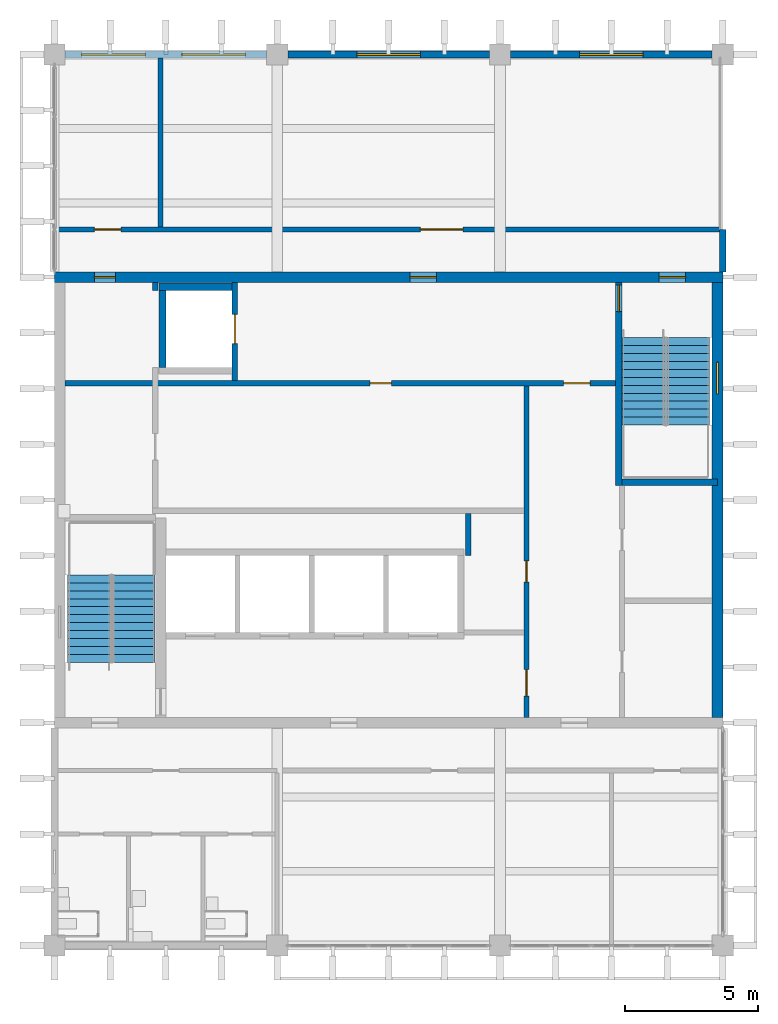
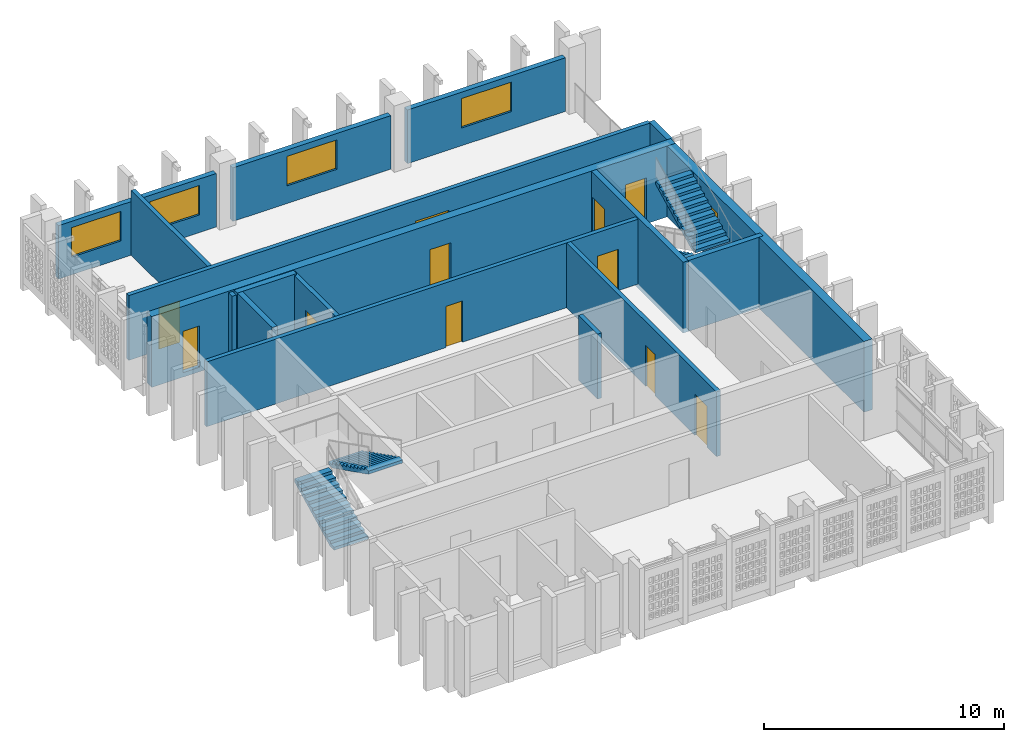
# One storey, part 6 of 13: 17 walls, 11 doors, 5 windows, 4 stair flights, 16 openings, 2 elements without a shape of their own.
"""IFC4 building model written with IfcOpenShell, lengths in metres."""

from ifc_helpers import new_model, si_unit, direction, frame, frame_2d, origin, place, context, subcontext, project, spatial, polyline, rectangle, outline, extrude, material, layer, layer_set, type_object, element, fill, aggregate, save


model = new_model("IFC4")

# Units and contexts
model_context = context("Model", 3, precision=1e-05, world=origin(), true_north=direction((0.0, 1.0)))
body_context = subcontext(model_context, "Body", "Model", "MODEL_VIEW")
ifc_project = project(units=[si_unit("LENGTHUNIT", "METRE"), si_unit("AREAUNIT", "SQUARE_METRE"), si_unit("VOLUMEUNIT", "CUBIC_METRE"), si_unit("PLANEANGLEUNIT", "RADIAN"), si_unit("MASSUNIT", "GRAM", prefix="KILO")], contexts=[model_context])

# Site, building, storey
site_placement = place(None, origin())
site = spatial("IfcSite", under=ifc_project, at=site_placement, CompositionType="ELEMENT")
building_placement = place(site_placement, origin())
building = spatial("IfcBuilding", under=site, at=building_placement, Name="Rulbaag Community and Learning Centre", CompositionType="ELEMENT")
storey_placement = place(building_placement, frame((0.0, 0.0, 39.60009765625)))
storey = spatial("IfcBuildingStorey", under=building, at=storey_placement, Name="L10", CompositionType="ELEMENT", Elevation=39.60009765625)

# Wall, openings, windows
ifc_material_1 = material(Name="Concrete M40", Category="concrete")
ifc_layer_1 = layer(ifc_material_1, 0.25)
ifc_layer_set_1 = layer_set([ifc_layer_1], Name="EW-CONC250")
wall_type_1 = type_object("IfcWallType", Name="EW-CONC250", PredefinedType="STANDARD", material=ifc_layer_set_1)
wall_1_placement = place(storey_placement, frame((143.199951171875, 117.60009765625, 0.0), z_axis=(0.0, 0.0, 1.0), x_axis=(1.0, 0.0, 0.0)))
wall_1 = element("IfcWall", 1, at=wall_1_placement, inside=storey, type_object=wall_type_1, Name="Board-marked concrete cladding wall BN", PredefinedType="STANDARD", context=body_context, shape_type="SweptSolid", body=[
    extrude(rectangle(XDim=7.60009765625, YDim=0.25, at=frame_2d((3.800048828125, 0.0))), origin(), (0.0, 0.0, 1.0), 2.724853515625),
])
opening_1_placement = place(wall_1_placement, frame((0.625, 0.0, 0.89990234375)))
opening_1 = element("IfcOpeningElement", 2, at=opening_1_placement, cuts=wall_1, Name="Opening WN17", PredefinedType="OPENING", context=body_context, shape_type="SweptSolid", body=[
    extrude(rectangle(XDim=2.39990234375, YDim=1.5, at=frame_2d((1.199951171875, 0.75))), frame((0.0, 0.135009765625, 0.0), z_axis=(0.0, -1.0, 0.0), x_axis=(1.0, 0.0, 0.0)), (0.0, 0.0, 1.0), 0.27001953125),
])
opening_2_placement = place(wall_1_placement, frame((4.39990234375, 0.0, 0.89990234375)))
opening_2 = element("IfcOpeningElement", 3, at=opening_2_placement, cuts=wall_1, Name="Opening WN15", PredefinedType="OPENING", context=body_context, shape_type="SweptSolid", body=[
    extrude(rectangle(XDim=2.39990234375, YDim=1.5, at=frame_2d((1.199951171875, 0.75))), frame((0.0, 0.135009765625, 0.0), z_axis=(0.0, -1.0, 0.0), x_axis=(1.0, 0.0, 0.0)), (0.0, 0.0, 1.0), 0.27001953125),
])
ifc_material_2 = material(Name="Aluminium", Category="aluminium")
window_type_1 = type_object("IfcWindowType", Name="WN-24", PartitioningType="DOUBLE_PANEL_VERTICAL", PredefinedType="WINDOW", material=ifc_material_2)
window_1_placement = place(opening_1_placement, origin())
window_1 = element("IfcWindow", 4, at=window_1_placement, inside=storey, type_object=window_type_1, Name="Window WN17", OverallHeight=1.5, OverallWidth=2.39990234375, PartitioningType="SINGLE_PANEL", PredefinedType="WINDOW", context=body_context, shape_type="SweptSolid", body=[
    extrude(rectangle(XDim=2.39990234375, YDim=1.5, at=frame_2d((1.199951171875, 0.75))), frame((0.0, 0.030029296875, 0.0), z_axis=(0.0, -1.0, 0.0), x_axis=(1.0, 0.0, 0.0)), (0.0, 0.0, 1.0), 0.06005859375),
])
fill(opening_1, window_1)
window_type_2 = type_object("IfcWindowType", Name="WR-24", PartitioningType="DOUBLE_PANEL_VERTICAL", PredefinedType="WINDOW", material=ifc_material_2)
window_2_placement = place(opening_2_placement, origin())
window_2 = element("IfcWindow", 5, at=window_2_placement, inside=storey, type_object=window_type_2, Name="Window WN15", OverallHeight=1.5, OverallWidth=2.39990234375, PartitioningType="SINGLE_PANEL", PredefinedType="WINDOW", context=body_context, shape_type="SweptSolid", body=[
    extrude(rectangle(XDim=2.39990234375, YDim=1.5, at=frame_2d((1.199951171875, 0.75))), frame((0.0, 0.030029296875, 0.0), z_axis=(0.0, -1.0, 0.0), x_axis=(1.0, 0.0, 0.0)), (0.0, 0.0, 1.0), 0.06005859375),
])
fill(opening_2, window_2)

# Wall, opening, window
wall_2_placement = place(storey_placement, frame((151.60009765625, 117.60009765625, 0.0), z_axis=(0.0, 0.0, 1.0), x_axis=(1.0, 0.0, 0.0)))
wall_2 = element("IfcWall", 6, at=wall_2_placement, inside=storey, type_object=wall_type_1, Name="Board-marked concrete cladding wall BN", PredefinedType="STANDARD", context=body_context, shape_type="SweptSolid", body=[
    extrude(rectangle(XDim=7.599853515625, YDim=0.25, at=frame_2d((3.7998046875, 0.0))), origin(), (0.0, 0.0, 1.0), 2.724853515625),
])
opening_3_placement = place(wall_2_placement, frame((2.60009765625, 0.0, 0.89990234375)))
opening_3 = element("IfcOpeningElement", 7, at=opening_3_placement, cuts=wall_2, Name="Opening WN15", PredefinedType="OPENING", context=body_context, shape_type="SweptSolid", body=[
    extrude(rectangle(XDim=2.39990234375, YDim=1.5, at=frame_2d((1.199951171875, 0.75))), frame((0.0, 0.135009765625, 0.0), z_axis=(0.0, -1.0, 0.0), x_axis=(1.0, 0.0, 0.0)), (0.0, 0.0, 1.0), 0.27001953125),
])
window_3_placement = place(opening_3_placement, origin())
window_3 = element("IfcWindow", 8, at=window_3_placement, inside=storey, type_object=window_type_2, Name="Window WN15", OverallHeight=1.5, OverallWidth=2.39990234375, PartitioningType="SINGLE_PANEL", PredefinedType="WINDOW", context=body_context, shape_type="SweptSolid", body=[
    extrude(rectangle(XDim=2.39990234375, YDim=1.5, at=frame_2d((1.199951171875, 0.75))), frame((0.0, 0.030029296875, 0.0), z_axis=(0.0, -1.0, 0.0), x_axis=(1.0, 0.0, 0.0)), (0.0, 0.0, 1.0), 0.06005859375),
])
fill(opening_3, window_3)

wall_3_placement = place(storey_placement, frame((160.0, 117.60009765625, 0.0), z_axis=(0.0, 0.0, 1.0), x_axis=(1.0, 0.0, 0.0)))
wall_3 = element("IfcWall", 9, at=wall_3_placement, inside=storey, type_object=wall_type_1, Name="Board-marked concrete cladding wall BN", PredefinedType="STANDARD", context=body_context, shape_type="SweptSolid", body=[
    extrude(rectangle(XDim=7.60009765625, YDim=0.25, at=frame_2d((3.800048828125, 0.0))), origin(), (0.0, 0.0, 1.0), 2.724853515625),
])
opening_4_placement = place(wall_3_placement, frame((2.60009765625, 0.0, 0.89990234375)))
opening_4 = element("IfcOpeningElement", 10, at=opening_4_placement, cuts=wall_3, Name="Opening WN15", PredefinedType="OPENING", context=body_context, shape_type="SweptSolid", body=[
    extrude(rectangle(XDim=2.39990234375, YDim=1.5, at=frame_2d((1.199951171875, 0.75))), frame((0.0, 0.135009765625, 0.0), z_axis=(0.0, -1.0, 0.0), x_axis=(1.0, 0.0, 0.0)), (0.0, 0.0, 1.0), 0.27001953125),
])
window_4_placement = place(opening_4_placement, origin())
window_4 = element("IfcWindow", 11, at=window_4_placement, inside=storey, type_object=window_type_2, Name="Window WN15", OverallHeight=1.5, OverallWidth=2.39990234375, PartitioningType="SINGLE_PANEL", PredefinedType="WINDOW", context=body_context, shape_type="SweptSolid", body=[
    extrude(rectangle(XDim=2.39990234375, YDim=1.5, at=frame_2d((1.199951171875, 0.75))), frame((0.0, 0.030029296875, 0.0), z_axis=(0.0, -1.0, 0.0), x_axis=(1.0, 0.0, 0.0)), (0.0, 0.0, 1.0), 0.06005859375),
])
fill(opening_4, window_4)

# Wall
wall_4_placement = place(storey_placement, frame((168.0, 109.39990234375, 0.0), z_axis=(0.0, 0.0, 1.0), x_axis=(0.0, 1.0, 0.0)))
element("IfcWall", 12, at=wall_4_placement, inside=storey, type_object=wall_type_1, Name="Board-marked concrete cladding wall BE", PredefinedType="STANDARD", context=body_context, shape_type="SweptSolid", body=[
    extrude(rectangle(XDim=1.60009765625, YDim=0.25, at=frame_2d((0.800048828125, 0.0))), origin(), (0.0, 0.0, 1.0), 3.2998046875),
])

# Wall, openings, doors
ifc_material_3 = material(Name="Concrete blockwork", Category="masonry")
ifc_layer_2 = layer(ifc_material_3, 0.199951171875)
ifc_layer_set_2 = layer_set([ifc_layer_2], Name="FW-200 FIRE WALL 200")
wall_type_2 = type_object("IfcWallType", Name="FW-200 FIRE WALL 200", PredefinedType="SOLIDWALL", material=ifc_layer_set_2)
wall_5_placement = place(storey_placement, frame((143.199951171875, 105.199951171875, 0.0), z_axis=(0.0, 0.0, 1.0), x_axis=(1.0, 0.0, 0.0)))
wall_5 = element("IfcWall", 13, at=wall_5_placement, inside=storey, type_object=wall_type_2, Name="Fire wall L10 9", PredefinedType="SOLIDWALL", context=body_context, shape_type="SweptSolid", body=[
    extrude(rectangle(XDim=20.75, YDim=0.199951171875, at=frame_2d((10.375, 0.0))), origin(), (0.0, 0.0, 1.0), 3.2998046875),
])
opening_5_placement = place(wall_5_placement, frame((11.5, 0.0, 0.0)))
opening_5 = element("IfcOpeningElement", 14, at=opening_5_placement, cuts=wall_5, Name="Opening L10-D017", PredefinedType="OPENING", context=body_context, shape_type="SweptSolid", body=[
    extrude(rectangle(XDim=0.800048828125, YDim=2.10009765625, at=frame_2d((0.39990234375, 1.050048828125))), frame((0.0, 0.10986328125, 0.0), z_axis=(0.0, -1.0, 0.0), x_axis=(1.0, 0.0, 0.0)), (0.0, 0.0, 1.0), 0.219970703125),
])
opening_6_placement = place(wall_5_placement, frame((18.800048828125, 0.0, 0.0)))
opening_6 = element("IfcOpeningElement", 15, at=opening_6_placement, cuts=wall_5, Name="Opening L10-D025", PredefinedType="OPENING", context=body_context, shape_type="SweptSolid", body=[
    extrude(rectangle(XDim=1.0, YDim=2.10009765625, at=frame_2d((0.5, 1.050048828125))), frame((0.0, 0.10986328125, 0.0), z_axis=(0.0, -1.0, 0.0), x_axis=(1.0, 0.0, 0.0)), (0.0, 0.0, 1.0), 0.219970703125),
])
ifc_material_4 = material(Name="Galvanised steel", Category="steel")
door_type_1 = type_object("IfcDoorType", Name="FD-1000 FIRE DOOR 1000 x 2100", OperationType="SINGLE_SWING_LEFT", PredefinedType="DOOR", material=ifc_material_4)
door_1_placement = place(opening_6_placement, origin())
door_1 = element("IfcDoor", 16, at=door_1_placement, inside=storey, type_object=door_type_1, Name="Door L10-D025", OperationType="SINGLE_SWING_LEFT", OverallHeight=2.10009765625, OverallWidth=1.0, PredefinedType="DOOR", context=body_context, shape_type="SweptSolid", body=[
    extrude(rectangle(XDim=1.0, YDim=2.10009765625, at=frame_2d((0.5, 1.050048828125))), frame((0.0, 0.02490234375, 0.0), z_axis=(0.0, -1.0, 0.0), x_axis=(1.0, 0.0, 0.0)), (0.0, 0.0, 1.0), 0.050048828125),
])
fill(opening_6, door_1)
door_type_2 = type_object("IfcDoorType", Name="FDR-800 RISER FIRE DOOR 800 x 2100", OperationType="SINGLE_SWING_LEFT", PredefinedType="DOOR", material=ifc_material_4)
door_2_placement = place(opening_5_placement, origin())
door_2 = element("IfcDoor", 17, at=door_2_placement, inside=storey, type_object=door_type_2, Name="Riser door L10-D020", OperationType="SINGLE_SWING_RIGHT", OverallHeight=2.10009765625, OverallWidth=0.800048828125, PredefinedType="DOOR", context=body_context, shape_type="SweptSolid", body=[
    extrude(rectangle(XDim=0.800048828125, YDim=2.10009765625, at=frame_2d((0.39990234375, 1.050048828125))), frame((0.0, 0.02490234375, 0.0), z_axis=(0.0, -1.0, 0.0), x_axis=(1.0, 0.0, 0.0)), (0.0, 0.0, 1.0), 0.050048828125),
])
fill(opening_5, door_2)

wall_6_placement = place(storey_placement, frame((142.800048828125, 111.0, 0.0), z_axis=(0.0, 0.0, 1.0), x_axis=(1.0, 0.0, 0.0)))
wall_6 = element("IfcWall", 18, at=wall_6_placement, inside=storey, type_object=wall_type_2, Name="Fire wall L10 10", PredefinedType="SOLIDWALL", context=body_context, shape_type="SweptSolid", body=[
    extrude(rectangle(XDim=25.074951171875, YDim=0.199951171875, at=frame_2d((12.53759765625, 0.0))), origin(), (0.0, 0.0, 1.0), 3.2998046875),
])
opening_7_placement = place(wall_6_placement, frame((1.5, 0.0, 0.0)))
opening_7 = element("IfcOpeningElement", 19, at=opening_7_placement, cuts=wall_6, Name="Opening L10-D005", PredefinedType="OPENING", context=body_context, shape_type="SweptSolid", body=[
    extrude(rectangle(XDim=1.0, YDim=2.10009765625, at=frame_2d((0.5, 1.050048828125))), frame((0.0, 0.10986328125, 0.0), z_axis=(0.0, -1.0, 0.0), x_axis=(1.0, 0.0, 0.0)), (0.0, 0.0, 1.0), 0.219970703125),
])
opening_8_placement = place(wall_6_placement, frame((13.800048828125, 0.0, 0.0)))
opening_8 = element("IfcOpeningElement", 20, at=opening_8_placement, cuts=wall_6, Name="Opening L10-D020", PredefinedType="OPENING", context=body_context, shape_type="SweptSolid", body=[
    extrude(rectangle(XDim=1.60009765625, YDim=2.25, at=frame_2d((0.800048828125, 1.125))), frame((0.0, 0.10986328125, 0.0), z_axis=(0.0, -1.0, 0.0), x_axis=(1.0, 0.0, 0.0)), (0.0, 0.0, 1.0), 0.219970703125),
])
door_3_placement = place(opening_7_placement, origin())
door_3 = element("IfcDoor", 21, at=door_3_placement, inside=storey, type_object=door_type_1, Name="Door L10-D005", OperationType="SINGLE_SWING_RIGHT", OverallHeight=2.10009765625, OverallWidth=1.0, PredefinedType="DOOR", context=body_context, shape_type="SweptSolid", body=[
    extrude(rectangle(XDim=1.0, YDim=2.10009765625, at=frame_2d((0.5, 1.050048828125))), frame((0.0, 0.02490234375, 0.0), z_axis=(0.0, -1.0, 0.0), x_axis=(1.0, 0.0, 0.0)), (0.0, 0.0, 1.0), 0.050048828125),
])
fill(opening_7, door_3)
ifc_material_5 = material(Name="Timber", Category="wood")
door_type_3 = type_object("IfcDoorType", Name="FD-1600 REFUGE AREA DOUBLE FIRE DOOR 1600 x 2250", OperationType="DOUBLE_DOOR_SINGLE_SWING", PredefinedType="DOOR", material=ifc_material_5)
door_4_placement = place(opening_8_placement, origin())
door_4 = element("IfcDoor", 22, at=door_4_placement, inside=storey, type_object=door_type_3, Name="Door L10-D020", OperationType="DOUBLE_DOOR_SINGLE_SWING", OverallHeight=2.25, OverallWidth=1.60009765625, PredefinedType="DOOR", context=body_context, shape_type="SweptSolid", body=[
    extrude(rectangle(XDim=1.60009765625, YDim=2.25, at=frame_2d((0.800048828125, 1.125))), frame((0.0, 0.02490234375, 0.0), z_axis=(0.0, -1.0, 0.0), x_axis=(1.0, 0.0, 0.0)), (0.0, 0.0, 1.0), 0.050048828125),
])
fill(opening_8, door_4)

# Walls
wall_7_placement = place(storey_placement, frame((146.60009765625, 108.699951171875, 0.0), z_axis=(0.0, 0.0, 1.0), x_axis=(0.0, 1.0, 0.0)))
element("IfcWall", 23, at=wall_7_placement, inside=storey, type_object=wall_type_2, Name="Fire wall L10 13", PredefinedType="SOLIDWALL", context=body_context, shape_type="SweptSolid", body=[
    extrude(rectangle(XDim=0.300048828125, YDim=0.199951171875, at=frame_2d((0.14990234375, 0.0))), origin(), (0.0, 0.0, 1.0), 3.2998046875),
])
wall_8_placement = place(storey_placement, frame((146.800048828125, 111.10009765625, 0.0), z_axis=(0.0, 0.0, 1.0), x_axis=(0.0, 1.0, 0.0)))
element("IfcWall", 24, at=wall_8_placement, inside=storey, type_object=wall_type_2, Name="Fire wall L10 14", PredefinedType="SOLIDWALL", context=body_context, shape_type="SweptSolid", body=[
    extrude(rectangle(XDim=6.375, YDim=0.199951171875, at=frame_2d((3.1875, 0.0))), origin(), (0.0, 0.0, 1.0), 3.2998046875),
])

# Wall, opening, door
wall_9_placement = place(storey_placement, frame((149.60009765625, 105.300048828125, 0.0), z_axis=(0.0, 0.0, 1.0), x_axis=(0.0, 1.0, 0.0)))
wall_9 = element("IfcWall", 25, at=wall_9_placement, inside=storey, type_object=wall_type_2, Name="Fire wall L10 16", PredefinedType="SOLIDWALL", context=body_context, shape_type="SweptSolid", body=[
    extrude(rectangle(XDim=3.699951171875, YDim=0.199951171875, at=frame_2d((1.85009765625, 0.0))), origin(), (0.0, 0.0, 1.0), 3.2998046875),
])
opening_9_placement = place(wall_9_placement, frame((1.39990234375, 0.0, 0.0)))
opening_9 = element("IfcOpeningElement", 26, at=opening_9_placement, cuts=wall_9, Name="Opening L10-D011", PredefinedType="OPENING", context=body_context, shape_type="SweptSolid", body=[
    extrude(rectangle(XDim=1.10009765625, YDim=2.10009765625, at=frame_2d((0.550048828125, 1.050048828125))), frame((0.0, 0.10986328125, 0.0), z_axis=(0.0, -1.0, 0.0), x_axis=(1.0, 0.0, 0.0)), (0.0, 0.0, 1.0), 0.219970703125),
])
ifc_material_6 = material(Name="Stainless steel grade 304", Category="steel")
door_type_4 = type_object("IfcDoorType", Name="LD-1100 LIFT LANDING DOOR 1100 x 2100", OperationType="SLIDING_TO_LEFT", PredefinedType="DOOR", material=ifc_material_6)
door_5_placement = place(opening_9_placement, origin())
door_5 = element("IfcDoor", 27, at=door_5_placement, inside=storey, type_object=door_type_4, Name="Lift landing door LF1 L10", OperationType="SLIDING_TO_LEFT", OverallHeight=2.10009765625, OverallWidth=1.10009765625, PredefinedType="DOOR", context=body_context, shape_type="SweptSolid", body=[
    extrude(rectangle(XDim=1.10009765625, YDim=2.10009765625, at=frame_2d((0.550048828125, 1.050048828125))), frame((0.0, 0.02490234375, 0.0), z_axis=(0.0, -1.0, 0.0), x_axis=(1.0, 0.0, 0.0)), (0.0, 0.0, 1.0), 0.050048828125),
])
fill(opening_9, door_5)

# Wall
wall_10_placement = place(storey_placement, frame((158.39990234375, 98.699951171875, 0.0), z_axis=(0.0, 0.0, 1.0), x_axis=(0.0, 1.0, 0.0)))
element("IfcWall", 28, at=wall_10_placement, inside=storey, type_object=wall_type_2, Name="Fire wall L10 18", PredefinedType="SOLIDWALL", context=body_context, shape_type="SweptSolid", body=[
    extrude(rectangle(XDim=1.60009765625, YDim=0.199951171875, at=frame_2d((0.800048828125, 0.0))), origin(), (0.0, 0.0, 1.0), 3.2998046875),
])

# Wall, openings, doors
wall_11_placement = place(storey_placement, frame((160.60009765625, 92.60009765625, 0.0), z_axis=(0.0, 0.0, 1.0), x_axis=(0.0, 1.0, 0.0)))
wall_11 = element("IfcWall", 29, at=wall_11_placement, inside=storey, type_object=wall_type_2, Name="Fire wall L10 19", PredefinedType="SOLIDWALL", context=body_context, shape_type="SweptSolid", body=[
    extrude(rectangle(XDim=12.5, YDim=0.199951171875, at=frame_2d((6.25, 0.0))), origin(), (0.0, 0.0, 1.0), 3.2998046875),
])
opening_10_placement = place(wall_11_placement, frame((5.10009765625, 0.0, 0.0)))
opening_10 = element("IfcOpeningElement", 30, at=opening_10_placement, cuts=wall_11, Name="Opening L10-D023", PredefinedType="OPENING", context=body_context, shape_type="SweptSolid", body=[
    extrude(rectangle(XDim=0.800048828125, YDim=2.10009765625, at=frame_2d((0.39990234375, 1.050048828125))), frame((0.0, 0.10986328125, 0.0), z_axis=(0.0, -1.0, 0.0), x_axis=(1.0, 0.0, 0.0)), (0.0, 0.0, 1.0), 0.219970703125),
])
opening_11_placement = place(wall_11_placement, frame((0.800048828125, 0.0, 0.0)))
opening_11 = element("IfcOpeningElement", 31, at=opening_11_placement, cuts=wall_11, Name="Opening L10-D022", PredefinedType="OPENING", context=body_context, shape_type="SweptSolid", body=[
    extrude(rectangle(XDim=1.0, YDim=2.10009765625, at=frame_2d((0.5, 1.050048828125))), frame((0.0, 0.10986328125, 0.0), z_axis=(0.0, -1.0, 0.0), x_axis=(1.0, 0.0, 0.0)), (0.0, 0.0, 1.0), 0.219970703125),
])
door_6_placement = place(opening_11_placement, origin())
door_6 = element("IfcDoor", 32, at=door_6_placement, inside=storey, type_object=door_type_1, Name="Door L10-D022", OperationType="SINGLE_SWING_LEFT", OverallHeight=2.10009765625, OverallWidth=1.0, PredefinedType="DOOR", context=body_context, shape_type="SweptSolid", body=[
    extrude(rectangle(XDim=1.0, YDim=2.10009765625, at=frame_2d((0.5, 1.050048828125))), frame((0.0, 0.02490234375, 0.0), z_axis=(0.0, -1.0, 0.0), x_axis=(1.0, 0.0, 0.0)), (0.0, 0.0, 1.0), 0.050048828125),
])
fill(opening_11, door_6)
door_7_placement = place(opening_10_placement, origin())
door_7 = element("IfcDoor", 33, at=door_7_placement, inside=storey, type_object=door_type_2, Name="Riser door L10-D019", OperationType="SINGLE_SWING_RIGHT", OverallHeight=2.10009765625, OverallWidth=0.800048828125, PredefinedType="DOOR", context=body_context, shape_type="SweptSolid", body=[
    extrude(rectangle(XDim=0.800048828125, YDim=2.10009765625, at=frame_2d((0.39990234375, 1.050048828125))), frame((0.0, 0.02490234375, 0.0), z_axis=(0.0, -1.0, 0.0), x_axis=(1.0, 0.0, 0.0)), (0.0, 0.0, 1.0), 0.050048828125),
])
fill(opening_10, door_7)

# Wall
ifc_layer_3 = layer(ifc_material_1, 0.27490234375)
ifc_layer_set_3 = layer_set([ifc_layer_3], Name="W16 Shaft wall 275 Concrete M40")
wall_type_3 = type_object("IfcWallType", Name="W16 Shaft wall 275 Concrete M40", PredefinedType="SHEAR", material=ifc_layer_set_3)
wall_12_placement = place(storey_placement, frame((146.75, 108.83740234375, -0.22509765625), z_axis=(0.0, 0.0, 1.0), x_axis=(1.0, 0.0, 0.0)))
element("IfcWall", 34, at=wall_12_placement, inside=storey, type_object=wall_type_3, Name="WL-LF-N-L10", PredefinedType="SHEAR", context=body_context, shape_type="SweptSolid", body=[
    extrude(rectangle(XDim=2.85009765625, YDim=0.27490234375, at=frame_2d((1.425048828125, 0.0))), origin(), (0.0, 0.0, 1.0), 3.60009765625),
])

# Wall, openings, doors
ifc_material_7 = material(Name="Concrete M60", Category="concrete")
ifc_layer_4 = layer(ifc_material_7, 0.39990234375)
ifc_layer_set_4 = layer_set([ifc_layer_4], Name="W2 Core wall 400 Concrete M60")
wall_type_4 = type_object("IfcWallType", Name="W2 Core wall 400 Concrete M60", PredefinedType="SHEAR", material=ifc_layer_set_4)
wall_13_placement = place(storey_placement, frame((142.800048828125, 109.199951171875, -0.22509765625), z_axis=(0.0, 0.0, 1.0), x_axis=(1.0, 0.0, 0.0)))
wall_13 = element("IfcWall", 35, at=wall_13_placement, inside=storey, type_object=wall_type_4, Name="WL-CORE-N-L10", PredefinedType="SHEAR", context=body_context, shape_type="SweptSolid", body=[
    extrude(rectangle(XDim=25.199951171875, YDim=0.39990234375, at=frame_2d((12.60009765625, 0.0))), origin(), (0.0, 0.0, 1.0), 3.60009765625),
])
opening_12_placement = place(wall_13_placement, frame((22.800048828125, 0.0, 0.22509765625)))
opening_12 = element("IfcOpeningElement", 36, at=opening_12_placement, cuts=wall_13, Name="Opening L10-D030", PredefinedType="OPENING", context=body_context, shape_type="SweptSolid", body=[
    extrude(rectangle(XDim=1.0, YDim=2.10009765625, at=frame_2d((0.5, 1.050048828125))), frame((0.0, 0.2099609375, 0.0), z_axis=(0.0, -1.0, 0.0), x_axis=(1.0, 0.0, 0.0)), (0.0, 0.0, 1.0), 0.419921875),
])
opening_13_placement = place(wall_13_placement, frame((1.5, 0.0, 0.22509765625)))
opening_13 = element("IfcOpeningElement", 37, at=opening_13_placement, cuts=wall_13, Name="Opening L10-D004", PredefinedType="OPENING", context=body_context, shape_type="SweptSolid", body=[
    extrude(rectangle(XDim=0.800048828125, YDim=2.10009765625, at=frame_2d((0.39990234375, 1.050048828125))), frame((0.0, 0.2099609375, 0.0), z_axis=(0.0, -1.0, 0.0), x_axis=(1.0, 0.0, 0.0)), (0.0, 0.0, 1.0), 0.419921875),
])
opening_14_placement = place(wall_13_placement, frame((13.39990234375, 0.0, 0.22509765625)))
opening_14 = element("IfcOpeningElement", 38, at=opening_14_placement, cuts=wall_13, Name="Opening L10-D019", PredefinedType="OPENING", context=body_context, shape_type="SweptSolid", body=[
    extrude(rectangle(XDim=1.0, YDim=2.10009765625, at=frame_2d((0.5, 1.050048828125))), frame((0.0, 0.2099609375, 0.0), z_axis=(0.0, -1.0, 0.0), x_axis=(1.0, 0.0, 0.0)), (0.0, 0.0, 1.0), 0.419921875),
])
door_8_placement = place(opening_12_placement, origin())
door_8 = element("IfcDoor", 39, at=door_8_placement, inside=storey, type_object=door_type_1, Name="Door L10-D030", OperationType="SINGLE_SWING_LEFT", OverallHeight=2.10009765625, OverallWidth=1.0, PredefinedType="DOOR", context=body_context, shape_type="SweptSolid", body=[
    extrude(rectangle(XDim=1.0, YDim=2.10009765625, at=frame_2d((0.5, 1.050048828125))), frame((0.0, 0.02490234375, 0.0), z_axis=(0.0, -1.0, 0.0), x_axis=(1.0, 0.0, 0.0)), (0.0, 0.0, 1.0), 0.050048828125),
])
fill(opening_12, door_8)
door_9_placement = place(opening_14_placement, origin())
door_9 = element("IfcDoor", 40, at=door_9_placement, inside=storey, type_object=door_type_1, Name="Door L10-D019", OperationType="SINGLE_SWING_LEFT", OverallHeight=2.10009765625, OverallWidth=1.0, PredefinedType="DOOR", context=body_context, shape_type="SweptSolid", body=[
    extrude(rectangle(XDim=1.0, YDim=2.10009765625, at=frame_2d((0.5, 1.050048828125))), frame((0.0, 0.02490234375, 0.0), z_axis=(0.0, -1.0, 0.0), x_axis=(1.0, 0.0, 0.0)), (0.0, 0.0, 1.0), 0.050048828125),
])
fill(opening_14, door_9)
door_10_placement = place(opening_13_placement, origin())
door_10 = element("IfcDoor", 41, at=door_10_placement, inside=storey, type_object=door_type_2, Name="Riser door L10-D022", OperationType="SINGLE_SWING_LEFT", OverallHeight=2.10009765625, OverallWidth=0.800048828125, PredefinedType="DOOR", context=body_context, shape_type="SweptSolid", body=[
    extrude(rectangle(XDim=0.800048828125, YDim=2.10009765625, at=frame_2d((0.39990234375, 1.050048828125))), frame((0.0, 0.02490234375, 0.0), z_axis=(0.0, -1.0, 0.0), x_axis=(1.0, 0.0, 0.0)), (0.0, 0.0, 1.0), 0.050048828125),
])
fill(opening_13, door_10)

# Wall, opening, window
wall_14_placement = place(storey_placement, frame((167.800048828125, 92.60009765625, -0.22509765625), z_axis=(0.0, 0.0, 1.0), x_axis=(0.0, 1.0, 0.0)))
wall_14 = element("IfcWall", 42, at=wall_14_placement, inside=storey, type_object=wall_type_4, Name="WL-CORE-E-L10", PredefinedType="SHEAR", context=body_context, shape_type="SweptSolid", body=[
    extrude(rectangle(XDim=16.39990234375, YDim=0.39990234375, at=frame_2d((8.199951171875, 0.0))), origin(), (0.0, 0.0, 1.0), 3.60009765625),
])
opening_15_placement = place(wall_14_placement, frame((12.199951171875, 0.0, 1.824951171875)))
opening_15 = element("IfcOpeningElement", 43, at=opening_15_placement, cuts=wall_14, Name="Opening WN19", PredefinedType="OPENING", context=body_context, shape_type="SweptSolid", body=[
    extrude(rectangle(XDim=1.199951171875, YDim=0.89990234375, at=frame_2d((0.60009765625, 0.449951171875))), frame((0.0, 0.2099609375, 0.0), z_axis=(0.0, -1.0, 0.0), x_axis=(1.0, 0.0, 0.0)), (0.0, 0.0, 1.0), 0.419921875),
])
window_type_3 = type_object("IfcWindowType", Name="WS-12", PartitioningType="SINGLE_PANEL", PredefinedType="WINDOW", material=ifc_material_2)
window_5_placement = place(opening_15_placement, origin())
window_5 = element("IfcWindow", 44, at=window_5_placement, inside=storey, type_object=window_type_3, Name="Stair window", OverallHeight=0.89990234375, OverallWidth=1.199951171875, PartitioningType="SINGLE_PANEL", PredefinedType="WINDOW", context=body_context, shape_type="SweptSolid", body=[
    extrude(rectangle(XDim=1.199951171875, YDim=0.89990234375, at=frame_2d((0.60009765625, 0.449951171875))), frame((0.0, 0.030029296875, 0.0), z_axis=(0.0, -1.0, 0.0), x_axis=(1.0, 0.0, 0.0)), (0.0, 0.0, 1.0), 0.06005859375),
])
fill(opening_15, window_5)

# Wall, opening, door
ifc_layer_5 = layer(ifc_material_1, 0.25)
ifc_layer_set_5 = layer_set([ifc_layer_5], Name="W5 Shaft wall 250 Concrete M40")
wall_type_5 = type_object("IfcWallType", Name="W5 Shaft wall 250 Concrete M40", PredefinedType="SHEAR", material=ifc_layer_set_5)
wall_15_placement = place(storey_placement, frame((164.074951171875, 101.35009765625, -0.22509765625), z_axis=(0.0, 0.0, 1.0), x_axis=(0.0, 1.0, 0.0)))
wall_15 = element("IfcWall", 45, at=wall_15_placement, inside=storey, type_object=wall_type_5, Name="WL-ST2-W-L10", PredefinedType="SHEAR", context=body_context, shape_type="SweptSolid", body=[
    extrude(rectangle(XDim=7.64990234375, YDim=0.25, at=frame_2d((3.824951171875, 0.0))), origin(), (0.0, 0.0, 1.0), 3.60009765625),
])
opening_16_placement = place(wall_15_placement, frame((6.550048828125, 0.0, 0.22509765625)))
opening_16 = element("IfcOpeningElement", 46, at=opening_16_placement, cuts=wall_15, Name="Opening L10-D026", PredefinedType="OPENING", context=body_context, shape_type="SweptSolid", body=[
    extrude(rectangle(XDim=1.0, YDim=2.10009765625, at=frame_2d((0.5, 1.050048828125))), frame((0.0, 0.135009765625, 0.0), z_axis=(0.0, -1.0, 0.0), x_axis=(1.0, 0.0, 0.0)), (0.0, 0.0, 1.0), 0.27001953125),
])
door_11_placement = place(opening_16_placement, origin())
door_11 = element("IfcDoor", 47, at=door_11_placement, inside=storey, type_object=door_type_1, Name="Door L10-D026", OperationType="SINGLE_SWING_LEFT", OverallHeight=2.10009765625, OverallWidth=1.0, PredefinedType="DOOR", context=body_context, shape_type="SweptSolid", body=[
    extrude(rectangle(XDim=1.0, YDim=2.10009765625, at=frame_2d((0.5, 1.050048828125))), frame((0.0, 0.02490234375, 0.0), z_axis=(0.0, -1.0, 0.0), x_axis=(1.0, 0.0, 0.0)), (0.0, 0.0, 1.0), 0.050048828125),
])
fill(opening_16, door_11)

# Walls
wall_16_placement = place(storey_placement, frame((164.199951171875, 101.47509765625, -0.22509765625), z_axis=(0.0, 0.0, 1.0), x_axis=(1.0, 0.0, 0.0)))
element("IfcWall", 48, at=wall_16_placement, inside=storey, type_object=wall_type_5, Name="WL-ST2-S-L10", PredefinedType="SHEAR", context=body_context, shape_type="SweptSolid", body=[
    extrude(rectangle(XDim=3.60009765625, YDim=0.25, at=frame_2d((1.800048828125, 0.0))), origin(), (0.0, 0.0, 1.0), 3.60009765625),
])
wall_17_placement = place(storey_placement, frame((146.875, 105.800048828125, -0.22509765625), z_axis=(0.0, 0.0, 1.0), x_axis=(0.0, 1.0, 0.0)))
element("IfcWall", 49, at=wall_17_placement, inside=storey, type_object=wall_type_5, Name="WL-LF-W-L10", PredefinedType="SHEAR", context=body_context, shape_type="SweptSolid", body=[
    extrude(rectangle(XDim=2.89990234375, YDim=0.25, at=frame_2d((1.449951171875, 0.0))), origin(), (0.0, 0.0, 1.0), 3.60009765625),
])

# Stair, stair flights
stair_type = type_object("IfcStairType", Name="ST-1650 STAIR 1650 WIDE", PredefinedType="HALF_TURN_STAIR", material=ifc_material_1)
stair_1_placement = place(storey_placement, origin())
stair_1 = element("IfcStair", 50, at=stair_1_placement, inside=storey, type_object=stair_type, Name="Stair ST1 L10", PredefinedType="HALF_TURN_STAIR")
stair_flight_type = type_object("IfcStairFlightType", Name="FL-1650 FLIGHT 1650 WIDE Concrete M40", PredefinedType="STRAIGHT", material=ifc_material_1)
stair_flight_1_placement = place(storey_placement, frame((144.125, 94.675048828125, 0.0), z_axis=(0.0, 0.0, 1.0), x_axis=(0.0, 1.0, 0.0)))
stair_flight_1 = element("IfcStairFlight", 51, at=stair_flight_1_placement, type_object=stair_flight_type, Name="ST1 flight 1", NumberOfRisers=12, NumberOfTreads=11, PredefinedType="STRAIGHT", RiserHeight=0.15, TreadLength=0.3, context=body_context, shape_type="SweptSolid", body=[
    extrude(outline(polyline([(0.0, 0.0), (0.0, 0.14990234375), (0.300048828125, 0.14990234375), (0.300048828125, 0.300048828125), (0.60009765625, 0.300048828125), (0.60009765625, 0.449951171875), (0.89990234375, 0.449951171875), (0.89990234375, 0.60009765625), (1.199951171875, 0.60009765625), (1.199951171875, 0.75), (1.5, 0.75), (1.5, 0.89990234375), (1.800048828125, 0.89990234375), (1.800048828125, 1.050048828125), (2.10009765625, 1.050048828125), (2.10009765625, 1.199951171875), (2.39990234375, 1.199951171875), (2.39990234375, 1.35009765625), (2.699951171875, 1.35009765625), (2.699951171875, 1.5), (3.0, 1.5), (3.0, 1.64990234375), (3.300048828125, 1.64990234375), (3.300048828125, 1.49365234375), (0.312744140625, 0.0), (0.0, 0.0)])), frame((0.0, 0.824951171875, 0.0), z_axis=(0.0, -1.0, 0.0), x_axis=(1.0, 0.0, 0.0)), (0.0, 0.0, 1.0), 1.64990234375),
])
stair_flight_2_placement = place(storey_placement, frame((145.77490234375, 97.97509765625, 1.7998046875), z_axis=(0.0, 0.0, 1.0), x_axis=(0.0, -1.0, 0.0)))
stair_flight_2 = element("IfcStairFlight", 52, at=stair_flight_2_placement, type_object=stair_flight_type, Name="ST1 flight 2", NumberOfRisers=12, NumberOfTreads=11, PredefinedType="STRAIGHT", RiserHeight=0.15, TreadLength=0.3, context=body_context, shape_type="SweptSolid", body=[
    extrude(outline(polyline([(0.0, 0.0), (0.0, 0.14990234375), (0.300048828125, 0.14990234375), (0.300048828125, 0.300048828125), (0.60009765625, 0.300048828125), (0.60009765625, 0.449951171875), (0.89990234375, 0.449951171875), (0.89990234375, 0.60009765625), (1.199951171875, 0.60009765625), (1.199951171875, 0.75), (1.5, 0.75), (1.5, 0.89990234375), (1.800048828125, 0.89990234375), (1.800048828125, 1.050048828125), (2.10009765625, 1.050048828125), (2.10009765625, 1.199951171875), (2.39990234375, 1.199951171875), (2.39990234375, 1.35009765625), (2.699951171875, 1.35009765625), (2.699951171875, 1.5), (3.0, 1.5), (3.0, 1.64990234375), (3.300048828125, 1.64990234375), (3.300048828125, 1.49365234375), (0.312744140625, 0.0), (0.0, 0.0)])), frame((0.0, 0.824951171875, 0.0), z_axis=(0.0, -1.0, 0.0), x_axis=(1.0, 0.0, 0.0)), (0.0, 0.0, 1.0), 1.64990234375),
])
aggregate(stair_1, [stair_flight_1, stair_flight_2])

stair_2_placement = place(storey_placement, origin())
stair_2 = element("IfcStair", 53, at=stair_2_placement, inside=storey, type_object=stair_type, Name="Stair ST2 L10", PredefinedType="HALF_TURN_STAIR")
stair_flight_3_placement = place(storey_placement, frame((165.02490234375, 106.925048828125, 0.0), z_axis=(0.0, 0.0, 1.0), x_axis=(0.0, -1.0, 0.0)))
stair_flight_3 = element("IfcStairFlight", 54, at=stair_flight_3_placement, type_object=stair_flight_type, Name="ST2 flight 1", NumberOfRisers=12, NumberOfTreads=11, PredefinedType="STRAIGHT", RiserHeight=0.15, TreadLength=0.3, context=body_context, shape_type="SweptSolid", body=[
    extrude(outline(polyline([(0.0, 0.0), (0.0, 0.14990234375), (0.300048828125, 0.14990234375), (0.300048828125, 0.300048828125), (0.60009765625, 0.300048828125), (0.60009765625, 0.449951171875), (0.89990234375, 0.449951171875), (0.89990234375, 0.60009765625), (1.199951171875, 0.60009765625), (1.199951171875, 0.75), (1.5, 0.75), (1.5, 0.89990234375), (1.800048828125, 0.89990234375), (1.800048828125, 1.050048828125), (2.10009765625, 1.050048828125), (2.10009765625, 1.199951171875), (2.39990234375, 1.199951171875), (2.39990234375, 1.35009765625), (2.699951171875, 1.35009765625), (2.699951171875, 1.5), (3.0, 1.5), (3.0, 1.64990234375), (3.300048828125, 1.64990234375), (3.300048828125, 1.49365234375), (0.312744140625, 0.0), (0.0, 0.0)])), frame((0.0, 0.824951171875, 0.0), z_axis=(0.0, -1.0, 0.0), x_axis=(1.0, 0.0, 0.0)), (0.0, 0.0, 1.0), 1.64990234375),
])
stair_flight_4_placement = place(storey_placement, frame((166.675048828125, 103.625, 1.7998046875), z_axis=(0.0, 0.0, 1.0), x_axis=(0.0, 1.0, 0.0)))
stair_flight_4 = element("IfcStairFlight", 55, at=stair_flight_4_placement, type_object=stair_flight_type, Name="ST2 flight 2", NumberOfRisers=12, NumberOfTreads=11, PredefinedType="STRAIGHT", RiserHeight=0.15, TreadLength=0.3, context=body_context, shape_type="SweptSolid", body=[
    extrude(outline(polyline([(0.0, 0.0), (0.0, 0.14990234375), (0.300048828125, 0.14990234375), (0.300048828125, 0.300048828125), (0.60009765625, 0.300048828125), (0.60009765625, 0.449951171875), (0.89990234375, 0.449951171875), (0.89990234375, 0.60009765625), (1.199951171875, 0.60009765625), (1.199951171875, 0.75), (1.5, 0.75), (1.5, 0.89990234375), (1.800048828125, 0.89990234375), (1.800048828125, 1.050048828125), (2.10009765625, 1.050048828125), (2.10009765625, 1.199951171875), (2.39990234375, 1.199951171875), (2.39990234375, 1.35009765625), (2.699951171875, 1.35009765625), (2.699951171875, 1.5), (3.0, 1.5), (3.0, 1.64990234375), (3.300048828125, 1.64990234375), (3.300048828125, 1.49365234375), (0.312744140625, 0.0), (0.0, 0.0)])), frame((0.0, 0.824951171875, 0.0), z_axis=(0.0, -1.0, 0.0), x_axis=(1.0, 0.0, 0.0)), (0.0, 0.0, 1.0), 1.64990234375),
])
aggregate(stair_2, [stair_flight_3, stair_flight_4])

save(model, "model.ifc")
